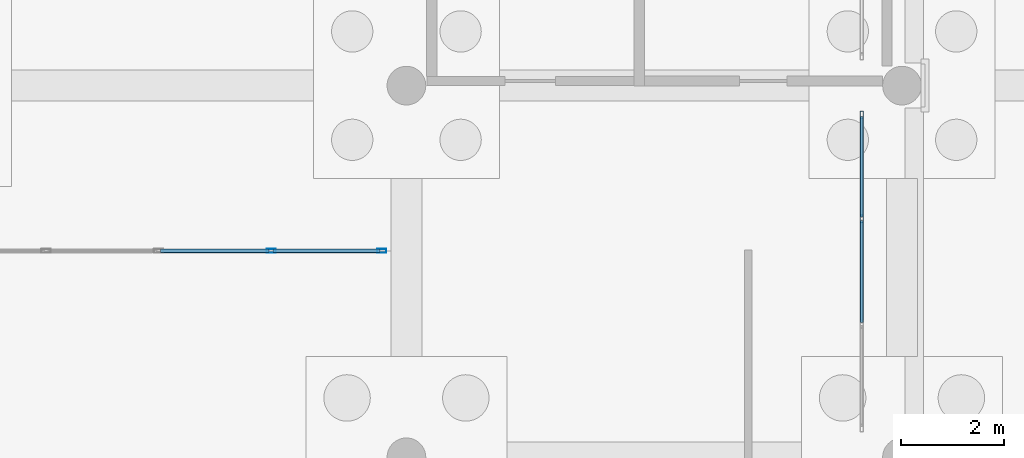
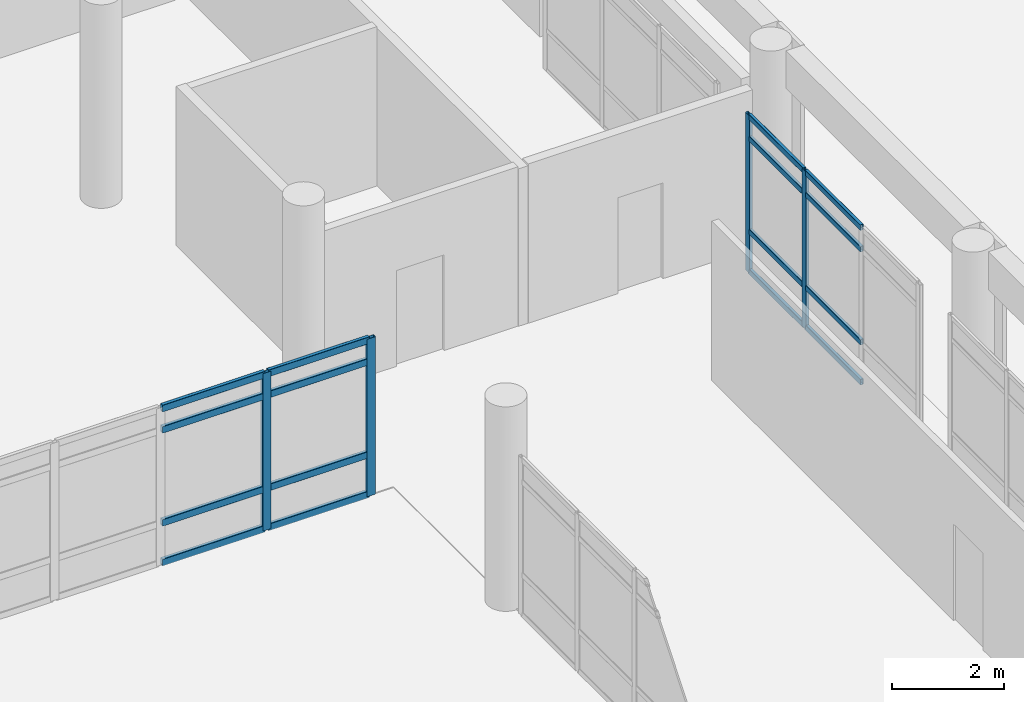
# One storey, part 115 of 196: 20 members, 2 elements without a shape of their own.
"""IFC4 building model written with IfcOpenShell, lengths in metres."""

from ifc_helpers import new_model, si_unit, direction, frame, origin, origin_2d, place, context, subcontext, project, spatial, hollow_rectangle, extrude, material, layer, layer_set, material_profile, profile_set, type_object, element, aggregate, save


model = new_model("IFC4")

# Units and contexts
model_context = context("Model", 3, precision=1e-05, world=origin(), true_north=direction((0.0, 1.0)))
body_context = subcontext(model_context, "Body", "Model", "MODEL_VIEW")
ifc_project = project(units=[si_unit("LENGTHUNIT", "METRE"), si_unit("AREAUNIT", "SQUARE_METRE"), si_unit("VOLUMEUNIT", "CUBIC_METRE"), si_unit("PLANEANGLEUNIT", "RADIAN"), si_unit("MASSUNIT", "GRAM", prefix="KILO")], contexts=[model_context])

# Site, building, storey
site_placement = place(None, origin())
site = spatial("IfcSite", under=ifc_project, at=site_placement, CompositionType="ELEMENT")
building_placement = place(site_placement, origin())
building = spatial("IfcBuilding", under=site, at=building_placement, Name="Asteropetra Specialist Clinic", CompositionType="ELEMENT")
storey_placement = place(building_placement, origin())
storey = spatial("IfcBuildingStorey", under=building, at=storey_placement, Name="L00", CompositionType="ELEMENT", Elevation=0.0)

# Curtain wall, members
ifc_material_1 = material(Name="Aluminium and low-E glass", Category="aluminium")
ifc_layer_1 = layer(ifc_material_1, 0.179931640625)
ifc_layer_set_1 = layer_set([ifc_layer_1], Name="Aluminium and low-E glass")
curtain_wall_type_1 = type_object("IfcCurtainWallType", Name="CW-SYS-01", PredefinedType="USERDEFINED", material=ifc_layer_set_1)
curtain_wall_1_placement = place(storey_placement, origin())
curtain_wall_1 = element("IfcCurtainWall", 1, at=curtain_wall_1_placement, inside=storey, type_object=curtain_wall_type_1, Name="Curtain Wall CW-190", ObjectType="UNITISED CURTAIN WALL", PredefinedType="USERDEFINED")
ifc_material_2 = material(Name="Aluminium 6063-T6", Category="aluminium")
ifc_material_profile_1 = material_profile(ifc_material_2, hollow_rectangle(XDim=0.06494140625, YDim=0.14990234375, WallThickness=0.00390625, InnerFilletRadius=0.00390625, OuterFilletRadius=0.008056640625, at=origin_2d()), Name="MUL 150x65x4.0")
ifc_profile_set_1 = profile_set([ifc_material_profile_1], Name="Aluminium 6063-T6")
member_type_1 = type_object("IfcMemberType", Name="CWM-150x65", PredefinedType="MULLION", material=ifc_profile_set_1)
member_1_placement = place(storey_placement, frame((76.02001953125, 95.82177734375, 0.0), z_axis=(0.0, 0.0, 1.0), x_axis=(-1.0, 0.0, 0.0)))
member_1 = element("IfcMember", 2, at=member_1_placement, type_object=member_type_1, Name="CW-190 mullion 3", PredefinedType="MULLION", context=body_context, shape_type="SweptSolid", body=[
    extrude(hollow_rectangle(XDim=0.06494140625, YDim=0.14990234375, WallThickness=0.00390625, InnerFilletRadius=0.00390625, OuterFilletRadius=0.008056640625, at=origin_2d()), origin(), (0.0, 0.0, 1.0), 3.419921875),
])
member_2_placement = place(storey_placement, frame((76.02001953125, 97.83251953125, 0.0), z_axis=(0.0, 0.0, 1.0), x_axis=(-1.0, 0.0, 0.0)))
member_2 = element("IfcMember", 3, at=member_2_placement, type_object=member_type_1, Name="CW-190 mullion 4", PredefinedType="MULLION", context=body_context, shape_type="SweptSolid", body=[
    extrude(hollow_rectangle(XDim=0.06494140625, YDim=0.14990234375, WallThickness=0.00390625, InnerFilletRadius=0.00390625, OuterFilletRadius=0.008056640625, at=origin_2d()), origin(), (0.0, 0.0, 1.0), 3.419921875),
])

ifc_material_3 = material(Name="Aluminium and low-E glass", Category="aluminium")
ifc_layer_2 = layer(ifc_material_3, 0.14990234375)
ifc_layer_set_2 = layer_set([ifc_layer_2], Name="Aluminium and low-E glass")
curtain_wall_type_2 = type_object("IfcCurtainWallType", Name="CW-SYS-05", PredefinedType="USERDEFINED", material=ifc_layer_set_2)
curtain_wall_2_placement = place(storey_placement, origin())
curtain_wall_2 = element("IfcCurtainWall", 4, at=curtain_wall_2_placement, inside=storey, type_object=curtain_wall_type_2, Name="Curtain Wall CW-012", ObjectType="UNITISED CURTAIN WALL", PredefinedType="USERDEFINED")
ifc_material_4 = material(Name="Aluminium 6063-T6", Category="aluminium")
ifc_material_profile_2 = material_profile(ifc_material_4, hollow_rectangle(XDim=0.074951171875, YDim=0.179931640625, WallThickness=0.00390625, InnerFilletRadius=0.00390625, OuterFilletRadius=0.008056640625, at=origin_2d()), Name="MUL 180x75x4.0")
ifc_profile_set_2 = profile_set([ifc_material_profile_2], Name="Aluminium 6063-T6")
member_type_2 = type_object("IfcMemberType", Name="CWM-180x75", PredefinedType="MULLION", material=ifc_profile_set_2)
member_3_placement = place(storey_placement, frame((66.722412109375, 95.199951171875, 0.0), z_axis=(0.0, 0.0, 1.0), x_axis=(0.0, -1.0, 0.0)))
member_3 = element("IfcMember", 5, at=member_3_placement, type_object=member_type_2, Name="CW-012 mullion 1", PredefinedType="MULLION", context=body_context, shape_type="SweptSolid", body=[
    extrude(hollow_rectangle(XDim=0.074951171875, YDim=0.179931640625, WallThickness=0.00390625, InnerFilletRadius=0.00390625, OuterFilletRadius=0.008056640625, at=origin_2d()), origin(), (0.0, 0.0, 1.0), 3.419921875),
])
member_4_placement = place(storey_placement, frame((64.580078125, 95.199951171875, 0.0), z_axis=(0.0, 0.0, 1.0), x_axis=(0.0, -1.0, 0.0)))
member_4 = element("IfcMember", 6, at=member_4_placement, type_object=member_type_2, Name="CW-012 mullion 2", PredefinedType="MULLION", context=body_context, shape_type="SweptSolid", body=[
    extrude(hollow_rectangle(XDim=0.074951171875, YDim=0.179931640625, WallThickness=0.00390625, InnerFilletRadius=0.00390625, OuterFilletRadius=0.008056640625, at=origin_2d()), origin(), (0.0, 0.0, 1.0), 3.419921875),
])

# Member
ifc_material_5 = material(Name="Aluminium 6063-T6", Category="aluminium")
ifc_material_profile_3 = material_profile(ifc_material_5, hollow_rectangle(XDim=0.06494140625, YDim=0.1201171875, WallThickness=0.00390625, InnerFilletRadius=0.00390625, OuterFilletRadius=0.008056640625, at=origin_2d()), Name="TRN 120x65x4.0")
ifc_profile_set_3 = profile_set([ifc_material_profile_3], Name="Aluminium 6063-T6")
member_type_3 = type_object("IfcMemberType", Name="CWT-120x65", PredefinedType="USERDEFINED", material=ifc_profile_set_3)
member_5_placement = place(storey_placement, frame((76.02001953125, 93.810791015625, 0.032470703125), z_axis=(0.0, 1.0, 0.0), x_axis=(-1.0, 0.0, 0.0)))
member_5 = element("IfcMember", 7, at=member_5_placement, type_object=member_type_3, Name="CW-190 transom 2.1", ObjectType="TRANSOM", PredefinedType="USERDEFINED", context=body_context, shape_type="SweptSolid", body=[
    extrude(hollow_rectangle(XDim=0.06494140625, YDim=0.1201171875, WallThickness=0.00390625, InnerFilletRadius=0.00390625, OuterFilletRadius=0.008056640625, at=origin_2d()), origin(), (0.0, 0.0, 1.0), 1.978271484375),
])

member_6_placement = place(storey_placement, frame((76.02001953125, 93.810791015625, 0.89990234375), z_axis=(0.0, 1.0, 0.0), x_axis=(-1.0, 0.0, 0.0)))
member_6 = element("IfcMember", 8, at=member_6_placement, type_object=member_type_3, Name="CW-190 transom 2.2", ObjectType="TRANSOM", PredefinedType="USERDEFINED", context=body_context, shape_type="SweptSolid", body=[
    extrude(hollow_rectangle(XDim=0.06494140625, YDim=0.1201171875, WallThickness=0.00390625, InnerFilletRadius=0.00390625, OuterFilletRadius=0.008056640625, at=origin_2d()), origin(), (0.0, 0.0, 1.0), 1.978271484375),
])

member_7_placement = place(storey_placement, frame((76.02001953125, 93.810791015625, 2.919921875), z_axis=(0.0, 1.0, 0.0), x_axis=(-1.0, 0.0, 0.0)))
member_7 = element("IfcMember", 9, at=member_7_placement, type_object=member_type_3, Name="CW-190 transom 2.3", ObjectType="TRANSOM", PredefinedType="USERDEFINED", context=body_context, shape_type="SweptSolid", body=[
    extrude(hollow_rectangle(XDim=0.06494140625, YDim=0.1201171875, WallThickness=0.00390625, InnerFilletRadius=0.00390625, OuterFilletRadius=0.008056640625, at=origin_2d()), origin(), (0.0, 0.0, 1.0), 1.978271484375),
])

member_8_placement = place(storey_placement, frame((76.02001953125, 93.810791015625, 3.387451171875), z_axis=(0.0, 1.0, 0.0), x_axis=(-1.0, 0.0, 0.0)))
member_8 = element("IfcMember", 10, at=member_8_placement, type_object=member_type_3, Name="CW-190 transom 2.4", ObjectType="TRANSOM", PredefinedType="USERDEFINED", context=body_context, shape_type="SweptSolid", body=[
    extrude(hollow_rectangle(XDim=0.06494140625, YDim=0.1201171875, WallThickness=0.00390625, InnerFilletRadius=0.00390625, OuterFilletRadius=0.008056640625, at=origin_2d()), origin(), (0.0, 0.0, 1.0), 1.978271484375),
])

member_9_placement = place(storey_placement, frame((76.02001953125, 95.854248046875, 0.032470703125), z_axis=(0.0, 1.0, 0.0), x_axis=(-1.0, 0.0, 0.0)))
member_9 = element("IfcMember", 11, at=member_9_placement, type_object=member_type_3, Name="CW-190 transom 3.1", ObjectType="TRANSOM", PredefinedType="USERDEFINED", context=body_context, shape_type="SweptSolid", body=[
    extrude(hollow_rectangle(XDim=0.06494140625, YDim=0.1201171875, WallThickness=0.00390625, InnerFilletRadius=0.00390625, OuterFilletRadius=0.008056640625, at=origin_2d()), origin(), (0.0, 0.0, 1.0), 1.94580078125),
])

member_10_placement = place(storey_placement, frame((76.02001953125, 95.854248046875, 0.89990234375), z_axis=(0.0, 1.0, 0.0), x_axis=(-1.0, 0.0, 0.0)))
member_10 = element("IfcMember", 12, at=member_10_placement, type_object=member_type_3, Name="CW-190 transom 3.2", ObjectType="TRANSOM", PredefinedType="USERDEFINED", context=body_context, shape_type="SweptSolid", body=[
    extrude(hollow_rectangle(XDim=0.06494140625, YDim=0.1201171875, WallThickness=0.00390625, InnerFilletRadius=0.00390625, OuterFilletRadius=0.008056640625, at=origin_2d()), origin(), (0.0, 0.0, 1.0), 1.94580078125),
])

member_11_placement = place(storey_placement, frame((76.02001953125, 95.854248046875, 2.919921875), z_axis=(0.0, 1.0, 0.0), x_axis=(-1.0, 0.0, 0.0)))
member_11 = element("IfcMember", 13, at=member_11_placement, type_object=member_type_3, Name="CW-190 transom 3.3", ObjectType="TRANSOM", PredefinedType="USERDEFINED", context=body_context, shape_type="SweptSolid", body=[
    extrude(hollow_rectangle(XDim=0.06494140625, YDim=0.1201171875, WallThickness=0.00390625, InnerFilletRadius=0.00390625, OuterFilletRadius=0.008056640625, at=origin_2d()), origin(), (0.0, 0.0, 1.0), 1.94580078125),
])

member_12_placement = place(storey_placement, frame((76.02001953125, 95.854248046875, 3.387451171875), z_axis=(0.0, 1.0, 0.0), x_axis=(-1.0, 0.0, 0.0)))
member_12 = element("IfcMember", 14, at=member_12_placement, type_object=member_type_3, Name="CW-190 transom 3.4", ObjectType="TRANSOM", PredefinedType="USERDEFINED", context=body_context, shape_type="SweptSolid", body=[
    extrude(hollow_rectangle(XDim=0.06494140625, YDim=0.1201171875, WallThickness=0.00390625, InnerFilletRadius=0.00390625, OuterFilletRadius=0.008056640625, at=origin_2d()), origin(), (0.0, 0.0, 1.0), 1.94580078125),
])

aggregate(curtain_wall_1, [member_1, member_2, member_5, member_6, member_7, member_8, member_9, member_10, member_11, member_12])

ifc_material_6 = material(Name="Aluminium 6063-T6", Category="aluminium")
ifc_material_profile_4 = material_profile(ifc_material_6, hollow_rectangle(XDim=0.074951171875, YDim=0.14990234375, WallThickness=0.00390625, InnerFilletRadius=0.00390625, OuterFilletRadius=0.008056640625, at=origin_2d()), Name="TRN 150x75x4.0")
ifc_profile_set_4 = profile_set([ifc_material_profile_4], Name="Aluminium 6063-T6")
member_type_4 = type_object("IfcMemberType", Name="CWT-150x75", PredefinedType="USERDEFINED", material=ifc_profile_set_4)
member_13_placement = place(storey_placement, frame((66.68505859375, 95.199951171875, 0.03759765625), z_axis=(-1.0, 0.0, 0.0), x_axis=(0.0, -1.0, 0.0)))
member_13 = element("IfcMember", 15, at=member_13_placement, type_object=member_type_4, Name="CW-012 transom 1.1", ObjectType="TRANSOM", PredefinedType="USERDEFINED", context=body_context, shape_type="SweptSolid", body=[
    extrude(hollow_rectangle(XDim=0.074951171875, YDim=0.14990234375, WallThickness=0.00390625, InnerFilletRadius=0.00390625, OuterFilletRadius=0.008056640625, at=origin_2d()), origin(), (0.0, 0.0, 1.0), 2.067626953125),
])

member_14_placement = place(storey_placement, frame((66.68505859375, 95.199951171875, 0.89990234375), z_axis=(-1.0, 0.0, 0.0), x_axis=(0.0, -1.0, 0.0)))
member_14 = element("IfcMember", 16, at=member_14_placement, type_object=member_type_4, Name="CW-012 transom 1.2", ObjectType="TRANSOM", PredefinedType="USERDEFINED", context=body_context, shape_type="SweptSolid", body=[
    extrude(hollow_rectangle(XDim=0.074951171875, YDim=0.14990234375, WallThickness=0.00390625, InnerFilletRadius=0.00390625, OuterFilletRadius=0.008056640625, at=origin_2d()), origin(), (0.0, 0.0, 1.0), 2.067626953125),
])

member_15_placement = place(storey_placement, frame((66.68505859375, 95.199951171875, 2.919921875), z_axis=(-1.0, 0.0, 0.0), x_axis=(0.0, -1.0, 0.0)))
member_15 = element("IfcMember", 17, at=member_15_placement, type_object=member_type_4, Name="CW-012 transom 1.3", ObjectType="TRANSOM", PredefinedType="USERDEFINED", context=body_context, shape_type="SweptSolid", body=[
    extrude(hollow_rectangle(XDim=0.074951171875, YDim=0.14990234375, WallThickness=0.00390625, InnerFilletRadius=0.00390625, OuterFilletRadius=0.008056640625, at=origin_2d()), origin(), (0.0, 0.0, 1.0), 2.067626953125),
])

member_16_placement = place(storey_placement, frame((66.68505859375, 95.199951171875, 3.382568359375), z_axis=(-1.0, 0.0, 0.0), x_axis=(0.0, -1.0, 0.0)))
member_16 = element("IfcMember", 18, at=member_16_placement, type_object=member_type_4, Name="CW-012 transom 1.4", ObjectType="TRANSOM", PredefinedType="USERDEFINED", context=body_context, shape_type="SweptSolid", body=[
    extrude(hollow_rectangle(XDim=0.074951171875, YDim=0.14990234375, WallThickness=0.00390625, InnerFilletRadius=0.00390625, OuterFilletRadius=0.008056640625, at=origin_2d()), origin(), (0.0, 0.0, 1.0), 2.067626953125),
])

member_17_placement = place(storey_placement, frame((64.54248046875, 95.199951171875, 0.03759765625), z_axis=(-1.0, 0.0, 0.0), x_axis=(0.0, -1.0, 0.0)))
member_17 = element("IfcMember", 19, at=member_17_placement, type_object=member_type_4, Name="CW-012 transom 2.1", ObjectType="TRANSOM", PredefinedType="USERDEFINED", context=body_context, shape_type="SweptSolid", body=[
    extrude(hollow_rectangle(XDim=0.074951171875, YDim=0.14990234375, WallThickness=0.00390625, InnerFilletRadius=0.00390625, OuterFilletRadius=0.008056640625, at=origin_2d()), origin(), (0.0, 0.0, 1.0), 2.10498046875),
])

member_18_placement = place(storey_placement, frame((64.54248046875, 95.199951171875, 0.89990234375), z_axis=(-1.0, 0.0, 0.0), x_axis=(0.0, -1.0, 0.0)))
member_18 = element("IfcMember", 20, at=member_18_placement, type_object=member_type_4, Name="CW-012 transom 2.2", ObjectType="TRANSOM", PredefinedType="USERDEFINED", context=body_context, shape_type="SweptSolid", body=[
    extrude(hollow_rectangle(XDim=0.074951171875, YDim=0.14990234375, WallThickness=0.00390625, InnerFilletRadius=0.00390625, OuterFilletRadius=0.008056640625, at=origin_2d()), origin(), (0.0, 0.0, 1.0), 2.10498046875),
])

member_19_placement = place(storey_placement, frame((64.54248046875, 95.199951171875, 2.919921875), z_axis=(-1.0, 0.0, 0.0), x_axis=(0.0, -1.0, 0.0)))
member_19 = element("IfcMember", 21, at=member_19_placement, type_object=member_type_4, Name="CW-012 transom 2.3", ObjectType="TRANSOM", PredefinedType="USERDEFINED", context=body_context, shape_type="SweptSolid", body=[
    extrude(hollow_rectangle(XDim=0.074951171875, YDim=0.14990234375, WallThickness=0.00390625, InnerFilletRadius=0.00390625, OuterFilletRadius=0.008056640625, at=origin_2d()), origin(), (0.0, 0.0, 1.0), 2.10498046875),
])

member_20_placement = place(storey_placement, frame((64.54248046875, 95.199951171875, 3.382568359375), z_axis=(-1.0, 0.0, 0.0), x_axis=(0.0, -1.0, 0.0)))
member_20 = element("IfcMember", 22, at=member_20_placement, type_object=member_type_4, Name="CW-012 transom 2.4", ObjectType="TRANSOM", PredefinedType="USERDEFINED", context=body_context, shape_type="SweptSolid", body=[
    extrude(hollow_rectangle(XDim=0.074951171875, YDim=0.14990234375, WallThickness=0.00390625, InnerFilletRadius=0.00390625, OuterFilletRadius=0.008056640625, at=origin_2d()), origin(), (0.0, 0.0, 1.0), 2.10498046875),
])

aggregate(curtain_wall_2, [member_3, member_4, member_13, member_14, member_15, member_16, member_17, member_18, member_19, member_20])

save(model, "model.ifc")
